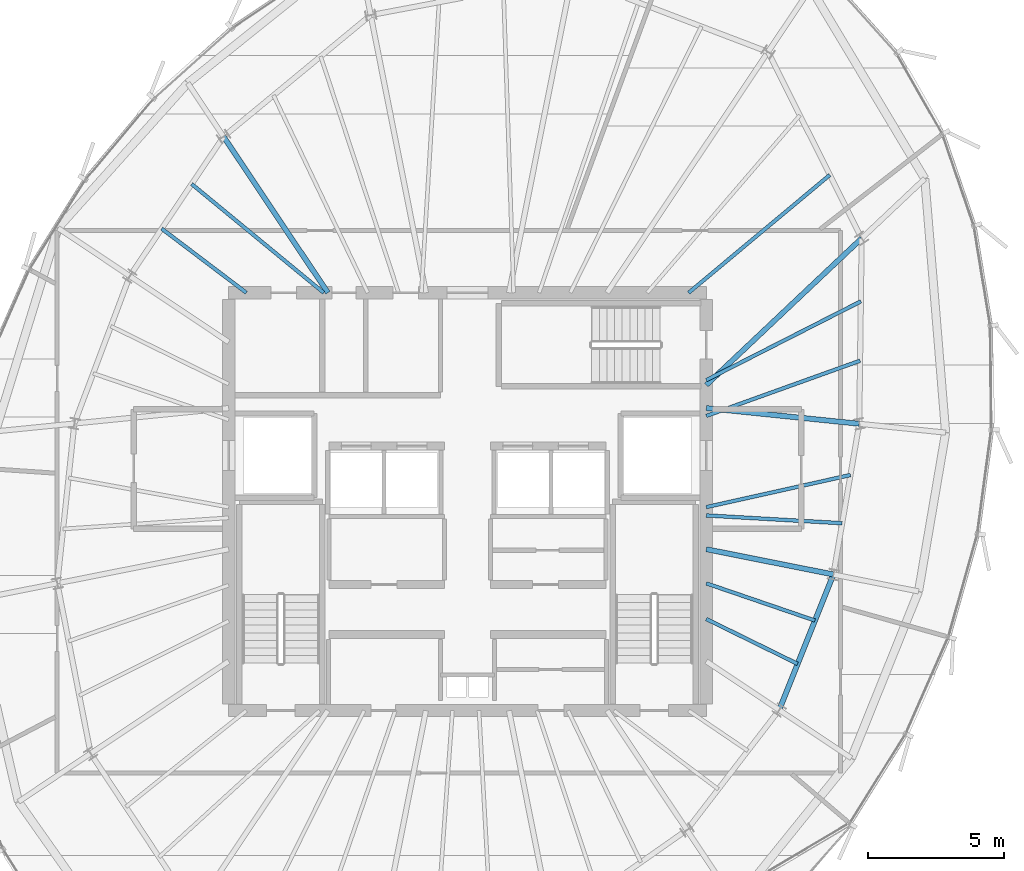
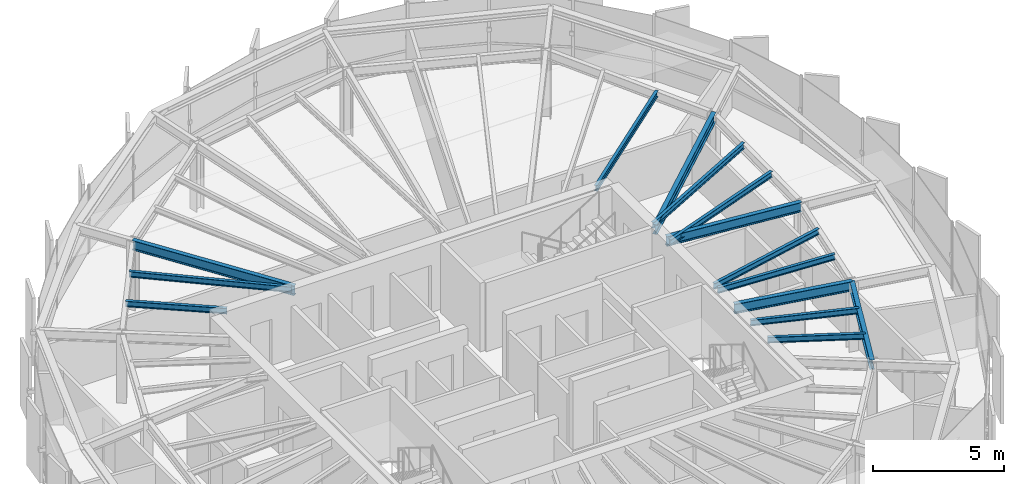
# One storey, part 13 of 31: 14 beams.
"""IFC4 building model written with IfcOpenShell, lengths in metres."""

import ifcopenshell
import ifcopenshell.guid

model = None  # the IFC model being written
_history = None  # IfcOwnerHistory: only IFC2X3 demands one
_inside = {}  # id of a spatial element -> (the spatial element, [elements in it])
_under = {}  # id of a project, library or spatial element -> (it, [spatial elements below it])
_declared = {}  # id of a project -> (the project, [libraries it declares])
_typed = {}  # id of a type object -> (the type object, [elements of that type])
_made_of = {}  # id of a material, layer set ... -> (it, [elements and type objects made of it])


def new_model(schema):
    """Start an empty IFC model of exactly this schema.

    Asked for "IFC4X3", IfcOpenShell would pick the latest addendum, in which some entities
    have other attributes; the version numbers below select the first issue.
    IFC2X3 requires an IfcOwnerHistory on every rooted entity: one is made here for all.
    """
    global model, _history
    if schema == "IFC4X3":
        model = ifcopenshell.file(schema_version=(4, 3, 0, 0))
    else:
        model = ifcopenshell.file(schema=schema)
    _inside.clear()
    _under.clear()
    _declared.clear()
    _typed.clear()
    _made_of.clear()
    _history = None
    if model.schema == "IFC2X3":
        org = make("IfcOrganization", Name="unknown")
        user = make(
            "IfcPersonAndOrganization",
            ThePerson=make("IfcPerson", FamilyName="unknown"),
            TheOrganization=org,
        )
        app = make(
            "IfcApplication",
            ApplicationDeveloper=org,
            Version="unknown",
            ApplicationFullName="unknown",
            ApplicationIdentifier="unknown",
        )
        _history = make(
            "IfcOwnerHistory",
            OwningUser=user,
            OwningApplication=app,
            ChangeAction="ADDED",
            CreationDate=0,
        )
    return model


def make(cls, **values):
    """One entity of the class cls with the attributes given. An attribute that is None is left unset."""
    return model.create_entity(
        cls, **{name: value for name, value in values.items() if value is not None}
    )


def rooted(cls, **values):
    """An entity with a GlobalId (a new one), such as an element, a storey or a relation."""
    return make(cls, GlobalId=ifcopenshell.guid.new(), OwnerHistory=_history, **values)


def si_unit(unit_type, name, prefix=None):
    """IfcSIUnit, for example si_unit("LENGTHUNIT", "METRE", prefix="MILLI")."""
    return make("IfcSIUnit", UnitType=unit_type, Prefix=prefix, Name=name)


def assignment(units):
    """IfcUnitAssignment: the units of a project."""
    return None if units is None else make("IfcUnitAssignment", Units=units)


def point(xyz):
    """IfcCartesianPoint."""
    return None if xyz is None else make("IfcCartesianPoint", Coordinates=xyz)


def direction(xyz):
    """IfcDirection."""
    return None if xyz is None else make("IfcDirection", DirectionRatios=xyz)


def frame(location, z_axis=None, x_axis=None):
    """IfcAxis2Placement3D, a coordinate frame: its origin and axes. An axis left out is left unset."""
    return make(
        "IfcAxis2Placement3D",
        Location=point(location),
        Axis=direction(z_axis),
        RefDirection=direction(x_axis),
    )


def frame_2d(location, x_axis=None):
    """IfcAxis2Placement2D, a coordinate frame in the plane: its origin and x axis."""
    return make(
        "IfcAxis2Placement2D", Location=point(location), RefDirection=direction(x_axis)
    )


def origin():
    """The frame at (0, 0, 0) with its axes left unset."""
    return frame((0.0, 0.0, 0.0))


def origin_2d():
    """The frame at (0, 0) in the plane with its x axis left unset."""
    return frame_2d((0.0, 0.0))


def place(relative_to, where):
    """IfcLocalPlacement: puts the frame where relative to a parent placement (None: the world)."""
    return make(
        "IfcLocalPlacement", PlacementRelTo=relative_to, RelativePlacement=where
    )


def context(
    kind, dimensions, precision=None, world=None, true_north=None, identifier=None
):
    """IfcGeometricRepresentationContext, for example the 3D "Model" context."""
    return make(
        "IfcGeometricRepresentationContext",
        ContextIdentifier=identifier,
        ContextType=kind,
        CoordinateSpaceDimension=dimensions,
        Precision=precision,
        WorldCoordinateSystem=world,
        TrueNorth=true_north,
    )


def subcontext(parent, identifier, kind, view, scale=None):
    """IfcGeometricRepresentationSubContext, for example "Body" below "Model"."""
    return make(
        "IfcGeometricRepresentationSubContext",
        ContextIdentifier=identifier,
        ContextType=kind,
        ParentContext=parent,
        TargetScale=scale,
        TargetView=view,
    )


def project(units=None, contexts=None):
    """IfcProject with its units and contexts."""
    return rooted(
        "IfcProject",
        Name="project",
        RepresentationContexts=contexts,
        UnitsInContext=assignment(units),
    )


def spatial(cls, under=None, at=None, **own):
    """A site, building, storey or space (cls), placed at a placement, below another one or the project."""
    s = rooted(cls, ObjectPlacement=at, **own)
    if under is not None:
        _under.setdefault(under.id(), (under, []))[1].append(s)
    return s


def profile(cls, at=None, kind="AREA", **sizes):
    """A parametric profile (cls). Its sizes go by their IFC names, for example OverallWidth=200.0."""
    return make(cls, ProfileType=kind, Position=at, **sizes)


def i_section(**sizes):
    """IfcIShapeProfileDef."""
    return profile("IfcIShapeProfileDef", **sizes)


def extrude(swept, where, along, depth):
    """IfcExtrudedAreaSolid: the profile swept, set in the frame where, extruded along a direction by depth."""
    return make(
        "IfcExtrudedAreaSolid",
        SweptArea=swept,
        Position=where,
        ExtrudedDirection=direction(along),
        Depth=depth,
    )


def shape(context_of_items, identifier, shape_type, items):
    """IfcShapeRepresentation: the items that make up one representation, for example the "Body"."""
    return make(
        "IfcShapeRepresentation",
        ContextOfItems=context_of_items,
        RepresentationIdentifier=identifier,
        RepresentationType=shape_type,
        Items=items,
    )


def source(mapping_origin, context_of_items, identifier, shape_type, items):
    """IfcRepresentationMap: a shape defined once, which mapped items show again and again."""
    return make(
        "IfcRepresentationMap",
        MappingOrigin=mapping_origin,
        MappedRepresentation=shape(context_of_items, identifier, shape_type, items),
    )


def transform(
    local_origin,
    x_axis=None,
    y_axis=None,
    z_axis=None,
    scale=None,
    scale2=None,
    scale3=None,
    uniform=True,
):
    """IfcCartesianTransformationOperator3D, or its non-uniform kind. x_axis, y_axis, z_axis: its Axis1, 2, 3."""
    if uniform:
        return make(
            "IfcCartesianTransformationOperator3D",
            Axis1=direction(x_axis),
            Axis2=direction(y_axis),
            LocalOrigin=point(local_origin),
            Scale=scale,
            Axis3=direction(z_axis),
        )
    return make(
        "IfcCartesianTransformationOperator3DnonUniform",
        Axis1=direction(x_axis),
        Axis2=direction(y_axis),
        LocalOrigin=point(local_origin),
        Scale=scale,
        Axis3=direction(z_axis),
        Scale2=scale2,
        Scale3=scale3,
    )


def mapped(mapping_source, mapping_target):
    """IfcMappedItem: shows the shape of a source again, moved by a transform."""
    return make(
        "IfcMappedItem", MappingSource=mapping_source, MappingTarget=mapping_target
    )


def material(Name=None, Category=None):
    """IfcMaterial."""
    return make("IfcMaterial", Name=Name, Category=Category)


def material_profile(
    of_material, cross_section, Name=None, Category=None, Priority=None
):
    """IfcMaterialProfile: a cross section and its material."""
    return make(
        "IfcMaterialProfile",
        Name=Name,
        Material=of_material,
        Profile=cross_section,
        Priority=Priority,
        Category=Category,
    )


def profile_set(profiles, Name=None, composite=None):
    """IfcMaterialProfileSet."""
    return make(
        "IfcMaterialProfileSet",
        Name=Name,
        MaterialProfiles=profiles,
        CompositeProfile=composite,
    )


def made_of(thing, what):
    """Note that an element or type object is made of a material, layer set ...; save() writes the relation."""
    if what is not None:
        _made_of.setdefault(what.id(), (what, []))[1].append(thing)
    return thing


def type_object(cls, material=None, **own):
    """A type object (cls), such as IfcWallType, which elements share."""
    return made_of(rooted(cls, **own), material)


def element(
    cls,
    number,
    at=None,
    inside=None,
    cuts=None,
    type_object=None,
    material=None,
    context=None,
    identifier="Body",
    shape_type=None,
    held_by="IfcProductDefinitionShape",
    body=None,
    shapes=None,
    **own,
):
    """One element of the class cls, such as IfcWall. Its Tag is "e" and its number.

    at: its placement. inside: the storey or other place that contains it. cuts: it is an
    opening in that element (IfcRelVoidsElement). A single representation is given by context,
    identifier, shape_type and body (its items); several are given by shapes. held_by: the class
    of the entity that holds the representations. save() writes the other relations.
    """
    e = rooted(cls, Tag="e%d" % number, ObjectPlacement=at, **own)
    if body is not None:
        shapes = [shape(context, identifier, shape_type, body)]
    if shapes is not None:
        e.Representation = make(held_by, Representations=shapes)
    if inside is not None:
        _inside.setdefault(inside.id(), (inside, []))[1].append(e)
    if cuts is not None:
        rooted(
            "IfcRelVoidsElement", RelatingBuildingElement=cuts, RelatedOpeningElement=e
        )
    if type_object is not None:
        _typed.setdefault(type_object.id(), (type_object, []))[1].append(e)
    return made_of(e, material)


def aggregate(whole, parts):
    """IfcRelAggregates: a whole, such as a stair, and the parts it consists of."""
    return rooted("IfcRelAggregates", RelatingObject=whole, RelatedObjects=parts)


def save(model, path):
    """Write the relations noted so far, then the file.

    IfcRelAggregates (storeys below a building ...), IfcRelContainedInSpatialStructure (elements
    in a storey), IfcRelDefinesByType, IfcRelAssociatesMaterial and IfcRelDeclares: one each for
    every whole, place, type object, material and project.
    """
    for whole, parts in _under.values():
        aggregate(whole, parts)
    for where, things in _inside.values():
        rooted(
            "IfcRelContainedInSpatialStructure",
            RelatedElements=things,
            RelatingStructure=where,
        )
    for kind, things in _typed.values():
        rooted("IfcRelDefinesByType", RelatedObjects=things, RelatingType=kind)
    for what, things in _made_of.values():
        rooted("IfcRelAssociatesMaterial", RelatedObjects=things, RelatingMaterial=what)
    for by, libraries in _declared.values():
        rooted("IfcRelDeclares", RelatingContext=by, RelatedDefinitions=libraries)
    model.write(path)


model = new_model("IFC4")

# Units and contexts
model_context = context("Model", 3, precision=1e-05, world=origin(), true_north=direction((0.0, 1.0)))
body_context = subcontext(model_context, "Body", "Model", "MODEL_VIEW")
ifc_project = project(units=[si_unit("LENGTHUNIT", "METRE"), si_unit("AREAUNIT", "SQUARE_METRE"), si_unit("VOLUMEUNIT", "CUBIC_METRE"), si_unit("PLANEANGLEUNIT", "RADIAN"), si_unit("MASSUNIT", "GRAM", prefix="KILO"), si_unit("THERMODYNAMICTEMPERATUREUNIT", "KELVIN")], contexts=[model_context])

# Site, building, storey
site_placement = place(None, origin())
site = spatial("IfcSite", under=ifc_project, at=site_placement, CompositionType="ELEMENT")
building_placement = place(site_placement, origin())
building = spatial("IfcBuilding", under=site, at=building_placement, Name="Kethvar Cultural Tower", CompositionType="ELEMENT")
storey_placement = place(building_placement, frame((0.0, 0.0, 283.60009765625)))
storey = spatial("IfcBuildingStorey", under=building, at=storey_placement, Name="L75", CompositionType="ELEMENT", Elevation=283.60009765625)

# Beams
ifc_material = material(Name="Steel S355J2", Category="steel")
ifc_material_profile_1 = material_profile(ifc_material, i_section(OverallWidth=0.18994140625, OverallDepth=0.449951171875, WebThickness=0.009521484375, FlangeThickness=0.0146484375, FilletRadius=0.02099609375, at=origin_2d()), Name="Steel S355J2 — IPE450")
ifc_profile_set_1 = profile_set([ifc_material_profile_1], Name="Steel S355J2 — IPE450")
beam_type_1 = type_object("IfcBeamType", Name="BM-IPE450", PredefinedType="BEAM", material=ifc_profile_set_1)
shared_shape_1 = source(origin(), body_context, "Body", "SweptSolid", [
    extrude(i_section(OverallWidth=0.18994140625, OverallDepth=0.449951171875, WebThickness=0.009521484375, FlangeThickness=0.0146484375, FilletRadius=0.02099609375, at=origin_2d()), origin(), (0.0, 0.0, 1.0), 5.66650390625),
])
beam_1_placement = place(storey_placement, frame((55.60009765625, 31.25, 2.98291015625), z_axis=(0.994777513459, -0.102067128476, 0.0), x_axis=(0.102067128476, 0.994777513459, 0.0)))
element("IfcBeam", 1, at=beam_1_placement, inside=storey, type_object=beam_type_1, Name="L75 Primary Radial Beam RB-01", PredefinedType="BEAM", context=body_context, shape_type="MappedRepresentation", body=[
    mapped(shared_shape_1, transform((0.0, 0.0, 0.0), scale=1.0)),
])
shared_shape_2 = source(origin(), body_context, "Body", "SweptSolid", [
    extrude(i_section(OverallWidth=0.18994140625, OverallDepth=0.449951171875, WebThickness=0.009521484375, FlangeThickness=0.0146484375, FilletRadius=0.02099609375, at=origin_2d()), origin(), (0.0, 0.0, 1.0), 7.874267578125),
])
beam_2_placement = place(storey_placement, frame((55.60009765625, 32.10009765625, 2.98291015625), z_axis=(0.727123202456, 0.686506990823, 0.0), x_axis=(-0.686506990823, 0.727123202456, 0.0)))
element("IfcBeam", 2, at=beam_2_placement, inside=storey, type_object=beam_type_1, Name="L75 Primary Radial Beam RB-02", PredefinedType="BEAM", context=body_context, shape_type="MappedRepresentation", body=[
    mapped(shared_shape_2, transform((0.0, 0.0, 0.0), scale=1.0)),
])
shared_shape_3 = source(origin(), body_context, "Body", "SweptSolid", [
    extrude(i_section(OverallWidth=0.18994140625, OverallDepth=0.449951171875, WebThickness=0.009521484375, FlangeThickness=0.0146484375, FilletRadius=0.02099609375, at=origin_2d()), origin(), (0.0, 0.0, 1.0), 6.921630859375),
])
beam_3_placement = place(storey_placement, frame((41.655029296875, 35.5, 2.98291015625), z_axis=(-0.555570841874, 0.831469205479, 0.0), x_axis=(-0.831469205479, -0.555570841874, 0.0)))
element("IfcBeam", 3, at=beam_3_placement, inside=storey, type_object=beam_type_1, Name="L75 Primary Radial Beam RB-06", PredefinedType="BEAM", context=body_context, shape_type="MappedRepresentation", body=[
    mapped(shared_shape_3, transform((0.0, 0.0, 0.0), scale=1.0)),
])
shared_shape_4 = source(origin(), body_context, "Body", "SweptSolid", [
    extrude(i_section(OverallWidth=0.18994140625, OverallDepth=0.449951171875, WebThickness=0.009521484375, FlangeThickness=0.0146484375, FilletRadius=0.02099609375, at=origin_2d()), origin(), (0.0, 0.0, 1.0), 4.775390625),
])
beam_4_placement = place(storey_placement, frame((55.60009765625, 26.049560546875, 2.98291015625), z_axis=(0.980784643133, -0.195093525761, 0.0), x_axis=(0.195093525761, 0.980784643133, 0.0)))
element("IfcBeam", 4, at=beam_4_placement, inside=storey, type_object=beam_type_1, Name="L75 Primary Radial Beam RB-16", PredefinedType="BEAM", context=body_context, shape_type="MappedRepresentation", body=[
    mapped(shared_shape_4, transform((0.0, 0.0, 0.0), scale=1.0)),
])
ifc_material_profile_2 = material_profile(ifc_material, i_section(OverallWidth=0.135009765625, OverallDepth=0.27001953125, WebThickness=0.006591796875, FlangeThickness=0.01025390625, FilletRadius=0.014892578125, at=origin_2d()), Name="Steel S355J2 — IPE270")
ifc_profile_set_2 = profile_set([ifc_material_profile_2], Name="Steel S355J2 — IPE270")
beam_type_2 = type_object("IfcBeamType", Name="BM-J270", PredefinedType="JOIST", material=ifc_profile_set_2)
shared_shape_5 = source(origin(), body_context, "Body", "SweptSolid", [
    extrude(i_section(OverallWidth=0.135009765625, OverallDepth=0.27001953125, WebThickness=0.006591796875, FlangeThickness=0.01025390625, FilletRadius=0.014892578125, at=origin_2d()), origin(), (0.0, 0.0, 1.0), 6.021240234375),
])
beam_5_placement = place(storey_placement, frame((55.60009765625, 30.960205078125, 3.072998046875), z_axis=(0.94114970072, 0.337990001086, 0.0), x_axis=(-0.337990001086, 0.94114970072, 0.0)))
element("IfcBeam", 5, at=beam_5_placement, inside=storey, type_object=beam_type_2, Name="L75 Composite Floor Joist J-01A", PredefinedType="JOIST", context=body_context, shape_type="MappedRepresentation", body=[
    mapped(shared_shape_5, transform((0.0, 0.0, 0.0), scale=1.0)),
])
shared_shape_6 = source(origin(), body_context, "Body", "SweptSolid", [
    extrude(i_section(OverallWidth=0.135009765625, OverallDepth=0.27001953125, WebThickness=0.006591796875, FlangeThickness=0.01025390625, FilletRadius=0.014892578125, at=origin_2d()), origin(), (0.0, 0.0, 1.0), 6.3916015625),
])
beam_6_placement = place(storey_placement, frame((55.60009765625, 32.281494140625, 3.072998046875), z_axis=(0.891094874615, 0.453817060538, 0.0), x_axis=(-0.453817060538, 0.891094874615, 0.0)))
element("IfcBeam", 6, at=beam_6_placement, inside=storey, type_object=beam_type_2, Name="L75 Composite Floor Joist J-01B", PredefinedType="JOIST", context=body_context, shape_type="MappedRepresentation", body=[
    mapped(shared_shape_6, transform((0.0, 0.0, 0.0), scale=1.0)),
])
shared_shape_7 = source(origin(), body_context, "Body", "SweptSolid", [
    extrude(i_section(OverallWidth=0.135009765625, OverallDepth=0.27001953125, WebThickness=0.006591796875, FlangeThickness=0.01025390625, FilletRadius=0.014892578125, at=origin_2d()), origin(), (0.0, 0.0, 1.0), 6.776123046875),
])
beam_7_placement = place(storey_placement, frame((54.949951171875, 35.5, 3.072998046875), z_axis=(0.767801747857, 0.6406875026, 0.0), x_axis=(-0.6406875026, 0.767801747857, 0.0)))
element("IfcBeam", 7, at=beam_7_placement, inside=storey, type_object=beam_type_2, Name="L75 Composite Floor Joist J-02A", PredefinedType="JOIST", context=body_context, shape_type="MappedRepresentation", body=[
    mapped(shared_shape_7, transform((0.0, 0.0, 0.0), scale=1.0)),
])
shared_shape_8 = source(origin(), body_context, "Body", "SweptSolid", [
    extrude(i_section(OverallWidth=0.135009765625, OverallDepth=0.27001953125, WebThickness=0.006591796875, FlangeThickness=0.01025390625, FilletRadius=0.014892578125, at=origin_2d()), origin(), (0.0, 0.0, 1.0), 6.302978515625),
])
beam_8_placement = place(storey_placement, frame((41.5, 35.5, 3.072998046875), z_axis=(-0.771828477148, 0.635830796567, 0.0), x_axis=(-0.635830796567, -0.771828477148, 0.0)))
element("IfcBeam", 8, at=beam_8_placement, inside=storey, type_object=beam_type_2, Name="L75 Composite Floor Joist J-06A", PredefinedType="JOIST", context=body_context, shape_type="MappedRepresentation", body=[
    mapped(shared_shape_8, transform((0.0, 0.0, 0.0), scale=1.0)),
])
shared_shape_9 = source(origin(), body_context, "Body", "SweptSolid", [
    extrude(i_section(OverallWidth=0.135009765625, OverallDepth=0.27001953125, WebThickness=0.006591796875, FlangeThickness=0.01025390625, FilletRadius=0.014892578125, at=origin_2d()), origin(), (0.0, 0.0, 1.0), 3.91357421875),
])
beam_9_placement = place(storey_placement, frame((38.64990234375, 35.5, 3.072998046875), z_axis=(-0.797214062325, 0.603696727531, 0.0), x_axis=(-0.603696727531, -0.797214062325, 0.0)))
element("IfcBeam", 9, at=beam_9_placement, inside=storey, type_object=beam_type_2, Name="L75 Composite Floor Joist J-06B", PredefinedType="JOIST", context=body_context, shape_type="MappedRepresentation", body=[
    mapped(shared_shape_9, transform((0.0, 0.0, 0.0), scale=1.0)),
])
shared_shape_10 = source(origin(), body_context, "Body", "SweptSolid", [
    extrude(i_section(OverallWidth=0.18994140625, OverallDepth=0.449951171875, WebThickness=0.009521484375, FlangeThickness=0.0146484375, FilletRadius=0.02099609375, at=origin_2d()), origin(), (0.0, 0.0, 1.0), 5.377685546875),
])
beam_10_placement = place(storey_placement, frame((58.287109375, 20.12451171875, 2.98291015625), z_axis=(0.371265436914, 0.928526776864, 0.0), x_axis=(-0.928526776864, 0.371265436914, 0.0)))
element("IfcBeam", 10, at=beam_10_placement, inside=storey, type_object=beam_type_1, Name="L75 Column Ring Tie Beam CR-15", PredefinedType="BEAM", context=body_context, shape_type="MappedRepresentation", body=[
    mapped(shared_shape_10, transform((0.0, 0.0, 0.0), scale=1.0)),
])
shared_shape_11 = source(origin(), body_context, "Body", "SweptSolid", [
    extrude(i_section(OverallWidth=0.135009765625, OverallDepth=0.27001953125, WebThickness=0.006591796875, FlangeThickness=0.01025390625, FilletRadius=0.014892578125, at=origin_2d()), origin(), (0.0, 0.0, 1.0), 3.75),
])
beam_11_placement = place(storey_placement, frame((55.60009765625, 23.476318359375, 3.072998046875), z_axis=(0.8975046019, -0.441005090184, 0.0), x_axis=(0.441005090184, 0.8975046019, 0.0)))
element("IfcBeam", 11, at=beam_11_placement, inside=storey, type_object=beam_type_2, Name="L75 Composite Floor Joist J-15A", PredefinedType="JOIST", context=body_context, shape_type="MappedRepresentation", body=[
    mapped(shared_shape_11, transform((0.0, 0.0, 0.0), scale=1.0)),
])
shared_shape_12 = source(origin(), body_context, "Body", "SweptSolid", [
    extrude(i_section(OverallWidth=0.135009765625, OverallDepth=0.27001953125, WebThickness=0.006591796875, FlangeThickness=0.01025390625, FilletRadius=0.014892578125, at=origin_2d()), origin(), (0.0, 0.0, 1.0), 4.232421875),
])
beam_12_placement = place(storey_placement, frame((55.60009765625, 24.7900390625, 3.072998046875), z_axis=(0.946173747357, -0.323659141402, 0.0), x_axis=(0.323659141402, 0.946173747357, 0.0)))
element("IfcBeam", 12, at=beam_12_placement, inside=storey, type_object=beam_type_2, Name="L75 Composite Floor Joist J-15B", PredefinedType="JOIST", context=body_context, shape_type="MappedRepresentation", body=[
    mapped(shared_shape_12, transform((0.0, 0.0, 0.0), scale=1.0)),
])
shared_shape_13 = source(origin(), body_context, "Body", "SweptSolid", [
    extrude(i_section(OverallWidth=0.135009765625, OverallDepth=0.27001953125, WebThickness=0.006591796875, FlangeThickness=0.01025390625, FilletRadius=0.014892578125, at=origin_2d()), origin(), (0.0, 0.0, 1.0), 5.01611328125),
])
beam_13_placement = place(storey_placement, frame((55.60009765625, 27.294189453125, 3.072998046875), z_axis=(0.998352190078, -0.057383835418, 0.0), x_axis=(0.057383835418, 0.998352190078, 0.0)))
element("IfcBeam", 13, at=beam_13_placement, inside=storey, type_object=beam_type_2, Name="L75 Composite Floor Joist J-16A", PredefinedType="JOIST", context=body_context, shape_type="MappedRepresentation", body=[
    mapped(shared_shape_13, transform((0.0, 0.0, 0.0), scale=1.0)),
])
shared_shape_14 = source(origin(), body_context, "Body", "SweptSolid", [
    extrude(i_section(OverallWidth=0.135009765625, OverallDepth=0.27001953125, WebThickness=0.006591796875, FlangeThickness=0.01025390625, FilletRadius=0.014892578125, at=origin_2d()), origin(), (0.0, 0.0, 1.0), 5.44287109375),
])
beam_14_placement = place(storey_placement, frame((55.60009765625, 27.60009765625, 3.072998046875), z_axis=(0.976080346759, 0.217410111702, 0.0), x_axis=(-0.217410111702, 0.976080346759, 0.0)))
element("IfcBeam", 14, at=beam_14_placement, inside=storey, type_object=beam_type_2, Name="L75 Composite Floor Joist J-16B", PredefinedType="JOIST", context=body_context, shape_type="MappedRepresentation", body=[
    mapped(shared_shape_14, transform((0.0, 0.0, 0.0), scale=1.0)),
])

save(model, "model.ifc")
